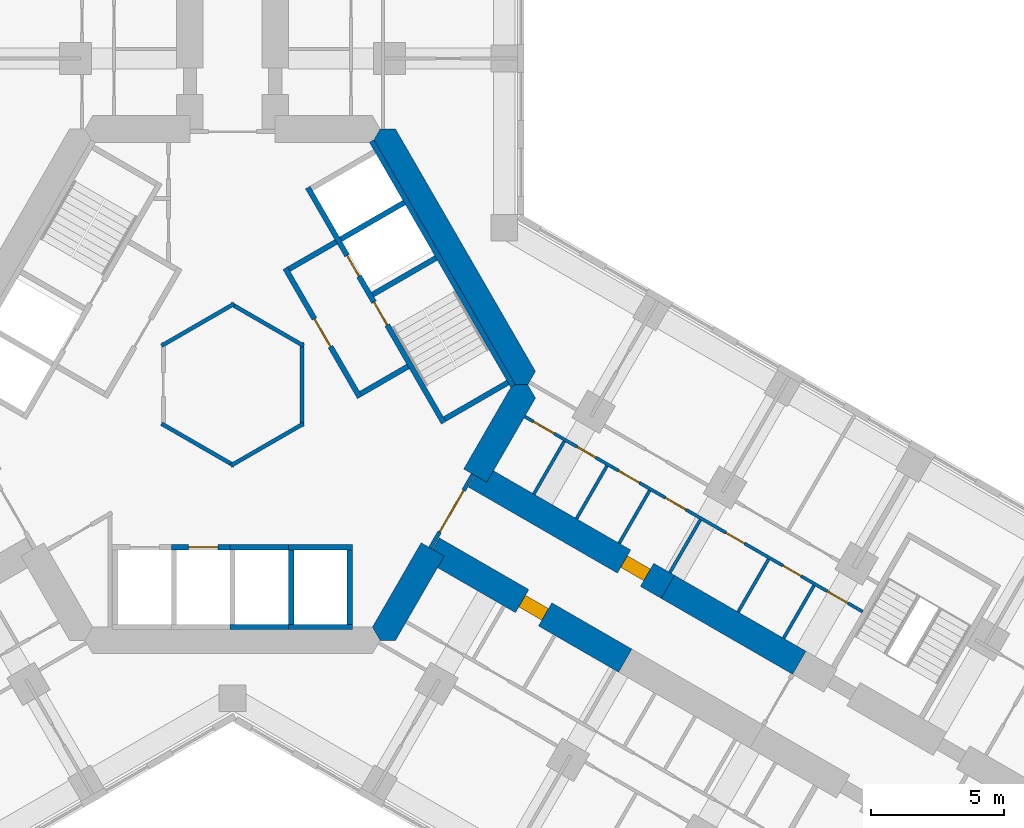
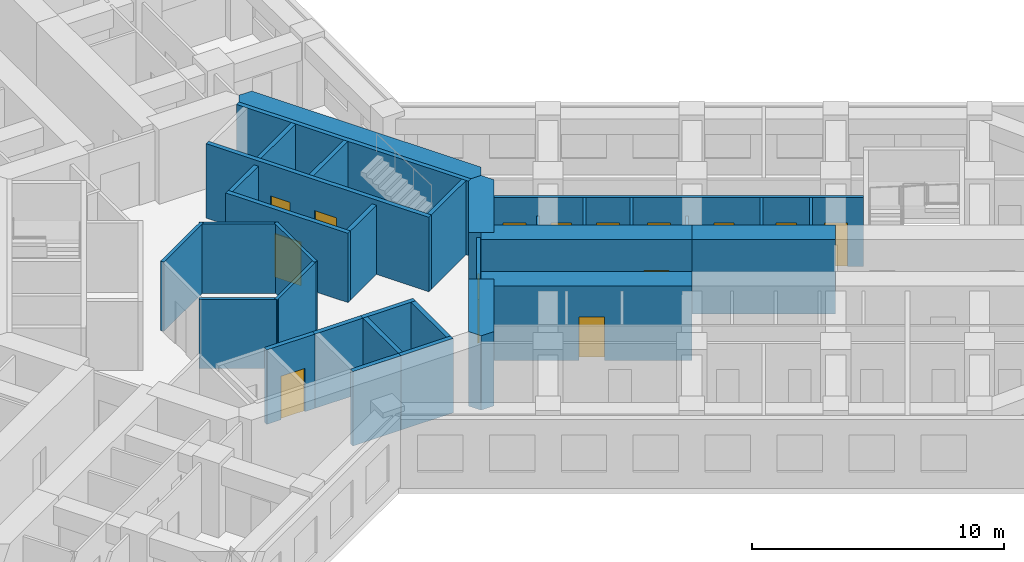
# One storey, part 15 of 21: 34 walls, 14 doors, 14 openings.
"""IFC4 building model written with IfcOpenShell, lengths in metres."""

from ifc_helpers import new_model, si_unit, direction, frame, frame_2d, origin, place, context, subcontext, project, spatial, polyline, rectangle, outline, extrude, material, layer, layer_set, type_object, element, fill, save


model = new_model("IFC4")

# Units and contexts
model_context = context("Model", 3, precision=1e-05, world=origin(), true_north=direction((0.0, 1.0)))
body_context = subcontext(model_context, "Body", "Model", "MODEL_VIEW")
ifc_project = project(units=[si_unit("LENGTHUNIT", "METRE"), si_unit("AREAUNIT", "SQUARE_METRE"), si_unit("VOLUMEUNIT", "CUBIC_METRE"), si_unit("PLANEANGLEUNIT", "RADIAN"), si_unit("MASSUNIT", "GRAM", prefix="KILO")], contexts=[model_context])

# Site, building, storey
site_placement = place(None, origin())
site = spatial("IfcSite", under=ifc_project, at=site_placement, CompositionType="ELEMENT")
building_placement = place(site_placement, origin())
building = spatial("IfcBuilding", under=site, at=building_placement, Name="Kosmar Iwan School Tower", CompositionType="ELEMENT")
storey_placement = place(building_placement, frame((0.0, 0.0, 46.60009765625)))
storey = spatial("IfcBuildingStorey", under=building, at=storey_placement, Name="L10", CompositionType="ELEMENT", Elevation=46.60009765625)

# Walls
ifc_material_1 = material(Name="Gypsum board on steel studs, fire-rated", Category="steel")
ifc_layer_1 = layer(ifc_material_1, 0.14990234375)
ifc_layer_set_1 = layer_set([ifc_layer_1], Name="Core room partition 150")
wall_type_1 = type_object("IfcWallType", Name="Core room partition 150", PredefinedType="PARTITIONING", material=ifc_layer_set_1)
for number, where, z_axis, x_axis, name in (
    (1, (2.6650390625, -1.463623046875, 0.0), (0.0, 0.0, 1.0), (-0.866023080072, -0.500004024767, 0.0), "Core room partition L10-CW4"),
    (2, (0.06494140625, -3.039794921875, 0.0), (0.0, 0.0, 1.0), (-0.866023080072, 0.500004024767, 0.0), "Core room partition L10-CW5"),
    (3, (-2.6650390625, 1.463623046875, 0.0), (0.0, 0.0, 1.0), (0.866023080072, 0.500004024767, 0.0), "Core room partition L10-CW7"),
    (4, (-0.06494140625, 3.039794921875, 0.0), (0.0, 0.0, 1.0), (0.866023080072, -0.500004024767, 0.0), "Core room partition L10-CW8"),
    (5, (2.60009765625, 1.576171875, 0.0), (0.0, 0.0, 1.0), (0.0, -1.0, 0.0), "Core room partition L10-CW9"),
):
    element("IfcWall", number, at=place(storey_placement, frame(where, z_axis=z_axis, x_axis=x_axis)), inside=storey, type_object=wall_type_1, Name=name, PredefinedType="PARTITIONING", context=body_context, shape_type="SweptSolid", body=[
        extrude(rectangle(XDim=3.15234375, YDim=0.14990234375, at=frame_2d((1.576171875, 0.0))), origin(), (0.0, 0.0, 1.0), 3.349853515625),
    ])
ifc_material_2 = material(Name="Concrete C50/60", Category="concrete")
ifc_layer_2 = layer(ifc_material_2, 1.0)
ifc_layer_set_2 = layer_set([ifc_layer_2], Name="Core wall 1000")
wall_type_2 = type_object("IfcWallType", Name="Core wall 1000", PredefinedType="SHEAR", material=ifc_layer_set_2)
wall_1_placement = place(storey_placement, origin())
element("IfcWall", 6, at=wall_1_placement, inside=storey, type_object=wall_type_2, Name="Core wall F030", PredefinedType="SHEAR", context=body_context, shape_type="SweptSolid", body=[
    extrude(outline(polyline([(10.5078125, 0.0), (11.085205078125, 0.0), (11.373779296875, 0.5), (6.119873046875, 9.60009765625), (5.54248046875, 9.60009765625), (5.25390625, 9.10009765625), (10.5078125, 0.0)])), origin(), (0.0, 0.0, 1.0), 3.599853515625),
])
wall_2_placement = place(storey_placement, origin())
element("IfcWall", 7, at=wall_2_placement, inside=storey, type_object=wall_type_2, Name="Core wall F330a", PredefinedType="SHEAR", context=body_context, shape_type="SweptSolid", body=[
    extrude(outline(polyline([(5.54248046875, -9.60009765625), (6.119873046875, -9.60009765625), (7.94677734375, -6.435546875), (7.080810546875, -5.935546875), (5.25390625, -9.10009765625), (5.54248046875, -9.60009765625)])), origin(), (0.0, 0.0, 1.0), 3.599853515625),
])
wall_3_placement = place(storey_placement, origin())
element("IfcWall", 8, at=wall_3_placement, inside=storey, type_object=wall_type_2, Name="Core wall F330b", PredefinedType="SHEAR", context=body_context, shape_type="SweptSolid", body=[
    extrude(outline(polyline([(9.546875, -3.664306640625), (11.373779296875, -0.5), (11.085205078125, 0.0), (10.5078125, 0.0), (8.680908203125, -3.164306640625), (9.546875, -3.664306640625)])), origin(), (0.0, 0.0, 1.0), 3.599853515625),
])

# Wall, opening, door
ifc_material_3 = material(Name="Concrete C50/60", Category="concrete")
ifc_layer_3 = layer(ifc_material_3, 1.0)
ifc_layer_set_3 = layer_set([ifc_layer_3], Name="Corridor buttress wall 1000")
wall_type_3 = type_object("IfcWallType", Name="Corridor buttress wall 1000", PredefinedType="SHEAR", material=ifc_layer_set_3)
wall_4_placement = place(storey_placement, frame((9.11376953125, -3.414306640625, 0.0), z_axis=(0.0, 0.0, 1.0), x_axis=(0.866026859388, -0.499997478812, 0.0)))
wall_4 = element("IfcWall", 9, at=wall_4_placement, inside=storey, type_object=wall_type_3, Name="Corridor wall CL", PredefinedType="SHEAR", context=body_context, shape_type="SweptSolid", body=[
    extrude(rectangle(XDim=8.35009765625, YDim=1.0, at=frame_2d((4.175048828125, 0.0))), origin(), (0.0, 0.0, 1.0), 3.599853515625),
])
opening_1_placement = place(wall_4_placement, frame((6.449951171875, 0.0, 0.0)))
opening_1 = element("IfcOpeningElement", 10, at=opening_1_placement, cuts=wall_4, Name="Opening D1", PredefinedType="OPENING", context=body_context, shape_type="SweptSolid", body=[
    extrude(rectangle(XDim=1.0, YDim=2.10009765625, at=frame_2d((0.5, 1.050048828125))), frame((0.0, 0.511962890625, 0.0), z_axis=(0.0, -1.0, 0.0), x_axis=(1.0, 0.0, 0.0)), (0.0, 0.0, 1.0), 1.02392578125),
])
ifc_material_4 = material(Name="Timber fire door in steel frame", Category="steel")
door_type_1 = type_object("IfcDoorType", Name="Flat entrance door 1000x2100", OperationType="SINGLE_SWING_LEFT", PredefinedType="DOOR", material=ifc_material_4)
door_1_placement = place(opening_1_placement, origin())
door_1 = element("IfcDoor", 11, at=door_1_placement, inside=storey, type_object=door_type_1, Name="Flat L10-CL1 entrance door", OperationType="SINGLE_SWING_LEFT", OverallHeight=2.10009765625, OverallWidth=1.0, PredefinedType="DOOR", context=body_context, shape_type="SweptSolid", body=[
    extrude(rectangle(XDim=1.0, YDim=2.10009765625, at=frame_2d((0.5, 1.050048828125))), frame((0.0, 0.25, 0.0), z_axis=(0.0, -1.0, 0.0), x_axis=(1.0, 0.0, 0.0)), (0.0, 0.0, 1.0), 0.5),
])
fill(opening_1, door_1)

# Wall
wall_5_placement = place(storey_placement, frame((16.34521484375, -7.58935546875, 0.0), z_axis=(0.0, 0.0, 1.0), x_axis=(0.866015111908, -0.50001782563, 0.0)))
element("IfcWall", 12, at=wall_5_placement, inside=storey, type_object=wall_type_3, Name="Corridor wall CL bay 2", PredefinedType="SHEAR", context=body_context, shape_type="SweptSolid", body=[
    extrude(rectangle(XDim=5.699951171875, YDim=1.0, at=frame_2d((2.85009765625, 0.0))), origin(), (0.0, 0.0, 1.0), 3.599853515625),
])

# Wall, opening, door
wall_6_placement = place(storey_placement, frame((7.513916015625, -6.185546875, 0.0), z_axis=(0.0, 0.0, 1.0), x_axis=(0.866019549707, -0.500010139422, 0.0)))
wall_6 = element("IfcWall", 13, at=wall_6_placement, inside=storey, type_object=wall_type_3, Name="Corridor wall CR", PredefinedType="SHEAR", context=body_context, shape_type="SweptSolid", body=[
    extrude(rectangle(XDim=8.349853515625, YDim=1.0, at=frame_2d((4.1748046875, 0.0))), origin(), (0.0, 0.0, 1.0), 3.599853515625),
])
opening_2_placement = place(wall_6_placement, frame((3.8798828125, 0.0, 0.0)))
opening_2 = element("IfcOpeningElement", 14, at=opening_2_placement, cuts=wall_6, Name="Opening D1", PredefinedType="OPENING", context=body_context, shape_type="SweptSolid", body=[
    extrude(rectangle(XDim=1.0, YDim=2.10009765625, at=frame_2d((0.5, 1.050048828125))), frame((0.0, 0.511962890625, 0.0), z_axis=(0.0, -1.0, 0.0), x_axis=(1.0, 0.0, 0.0)), (0.0, 0.0, 1.0), 1.02392578125),
])
door_2_placement = place(opening_2_placement, origin())
door_2 = element("IfcDoor", 15, at=door_2_placement, inside=storey, type_object=door_type_1, Name="Flat L10-CR1 entrance door", OperationType="SINGLE_SWING_RIGHT", OverallHeight=2.10009765625, OverallWidth=1.0, PredefinedType="DOOR", context=body_context, shape_type="SweptSolid", body=[
    extrude(rectangle(XDim=1.0, YDim=2.10009765625, at=frame_2d((0.5, 1.050048828125))), frame((0.0, 0.25, 0.0), z_axis=(0.0, -1.0, 0.0), x_axis=(1.0, 0.0, 0.0)), (0.0, 0.0, 1.0), 0.5),
])
fill(opening_2, door_2)

ifc_material_5 = material(Name="Steel framed glazed screen", Category="steel")
ifc_layer_4 = layer(ifc_material_5, 0.14990234375)
ifc_layer_set_4 = layer_set([ifc_layer_4], Name="Corridor screen wall 150")
wall_type_4 = type_object("IfcWallType", Name="Corridor screen wall 150", PredefinedType="PARTITIONING", material=ifc_layer_set_4)
wall_7_placement = place(storey_placement, frame((7.42724609375, -6.1357421875, 0.0), z_axis=(0.0, 0.0, 1.0), x_axis=(0.499995408039, 0.866028054938, 0.0)))
wall_7 = element("IfcWall", 16, at=wall_7_placement, inside=storey, type_object=wall_type_4, Name="Corridor screen C L10", PredefinedType="PARTITIONING", context=body_context, shape_type="SweptSolid", body=[
    extrude(rectangle(XDim=3.2001953125, YDim=0.14990234375, at=frame_2d((1.60009765625, 0.0))), origin(), (0.0, 0.0, 1.0), 3.349853515625),
])
opening_3_placement = place(wall_7_placement, frame((0.699951171875, 0.0, 0.0)))
opening_3 = element("IfcOpeningElement", 17, at=opening_3_placement, cuts=wall_7, Name="Opening D9", PredefinedType="OPENING", context=body_context, shape_type="SweptSolid", body=[
    extrude(rectangle(XDim=1.800048828125, YDim=2.10009765625, at=frame_2d((0.89990234375, 1.050048828125))), frame((0.0, 0.0869140625, 0.0), z_axis=(0.0, -1.0, 0.0), x_axis=(1.0, 0.0, 0.0)), (0.0, 0.0, 1.0), 0.173828125),
])
ifc_material_6 = material(Name="Steel framed glazed smoke door", Category="steel")
door_type_2 = type_object("IfcDoorType", Name="Corridor smoke door pair 1800x2100", OperationType="DOUBLE_DOOR_DOUBLE_SWING", PredefinedType="DOOR", material=ifc_material_6)
door_3_placement = place(opening_3_placement, origin())
door_3 = element("IfcDoor", 18, at=door_3_placement, inside=storey, type_object=door_type_2, Name="Corridor doors C L10", OperationType="DOUBLE_DOOR_DOUBLE_SWING", OverallHeight=2.10009765625, OverallWidth=1.800048828125, PredefinedType="DOOR", context=body_context, shape_type="SweptSolid", body=[
    extrude(rectangle(XDim=1.800048828125, YDim=2.10009765625, at=frame_2d((0.89990234375, 1.050048828125))), frame((0.0, 0.02490234375, 0.0), z_axis=(0.0, -1.0, 0.0), x_axis=(1.0, 0.0, 0.0)), (0.0, 0.0, 1.0), 0.050048828125),
])
fill(opening_3, door_3)

# Wall, openings, doors
ifc_material_7 = material(Name="Gypsum board on steel studs", Category="steel")
ifc_layer_5 = layer(ifc_material_7, 0.1201171875)
ifc_layer_set_5 = layer_set([ifc_layer_5], Name="Dwelling partition 120")
wall_type_5 = type_object("IfcWallType", Name="Dwelling partition 120", PredefinedType="PARTITIONING", material=ifc_layer_set_5)
wall_8_placement = place(storey_placement, frame((10.971923828125, -1.1962890625, 0.0), z_axis=(0.0, 0.0, 1.0), x_axis=(0.866026568746, -0.499997982221, 0.0)))
wall_8 = element("IfcWall", 19, at=wall_8_placement, inside=storey, type_object=wall_type_5, Name="Partition L10-CL1-W1", PredefinedType="PARTITIONING", context=body_context, shape_type="SweptSolid", body=[
    extrude(rectangle(XDim=14.64990234375, YDim=0.1201171875, at=frame_2d((7.324951171875, 0.0))), origin(), (0.0, 0.0, 1.0), 3.349853515625),
])
opening_4_placement = place(wall_8_placement, frame((0.375, 0.0, 0.0)))
opening_4 = element("IfcOpeningElement", 20, at=opening_4_placement, cuts=wall_8, Name="Opening D2", PredefinedType="OPENING", context=body_context, shape_type="SweptSolid", body=[
    extrude(rectangle(XDim=0.89990234375, YDim=2.10009765625, at=frame_2d((0.449951171875, 1.050048828125))), frame((0.0, 0.072021484375, 0.0), z_axis=(0.0, -1.0, 0.0), x_axis=(1.0, 0.0, 0.0)), (0.0, 0.0, 1.0), 0.14404296875),
])
opening_5_placement = place(wall_8_placement, frame((2.27490234375, 0.0, 0.0)))
opening_5 = element("IfcOpeningElement", 21, at=opening_5_placement, cuts=wall_8, Name="Opening D3", PredefinedType="OPENING", context=body_context, shape_type="SweptSolid", body=[
    extrude(rectangle(XDim=0.800048828125, YDim=2.10009765625, at=frame_2d((0.39990234375, 1.050048828125))), frame((0.0, 0.072021484375, 0.0), z_axis=(0.0, -1.0, 0.0), x_axis=(1.0, 0.0, 0.0)), (0.0, 0.0, 1.0), 0.14404296875),
])
opening_6_placement = place(wall_8_placement, frame((4.074951171875, 0.0, 0.0)))
opening_6 = element("IfcOpeningElement", 22, at=opening_6_placement, cuts=wall_8, Name="Opening D2", PredefinedType="OPENING", context=body_context, shape_type="SweptSolid", body=[
    extrude(rectangle(XDim=0.89990234375, YDim=2.10009765625, at=frame_2d((0.449951171875, 1.050048828125))), frame((0.0, 0.072021484375, 0.0), z_axis=(0.0, -1.0, 0.0), x_axis=(1.0, 0.0, 0.0)), (0.0, 0.0, 1.0), 0.14404296875),
])
opening_7_placement = place(wall_8_placement, frame((6.10009765625, 0.0, 0.0)))
opening_7 = element("IfcOpeningElement", 23, at=opening_7_placement, cuts=wall_8, Name="Opening D2", PredefinedType="OPENING", context=body_context, shape_type="SweptSolid", body=[
    extrude(rectangle(XDim=0.89990234375, YDim=2.10009765625, at=frame_2d((0.449951171875, 1.050048828125))), frame((0.0, 0.072021484375, 0.0), z_axis=(0.0, -1.0, 0.0), x_axis=(1.0, 0.0, 0.0)), (0.0, 0.0, 1.0), 0.14404296875),
])
opening_8_placement = place(wall_8_placement, frame((8.728515625, 0.0, 0.0)))
opening_8 = element("IfcOpeningElement", 24, at=opening_8_placement, cuts=wall_8, Name="Opening D3", PredefinedType="OPENING", context=body_context, shape_type="SweptSolid", body=[
    extrude(rectangle(XDim=0.800048828125, YDim=2.10009765625, at=frame_2d((0.39990234375, 1.050048828125))), frame((0.0, 0.072021484375, 0.0), z_axis=(0.0, -1.0, 0.0), x_axis=(1.0, 0.0, 0.0)), (0.0, 0.0, 1.0), 0.14404296875),
])
opening_9_placement = place(wall_8_placement, frame((11.19287109375, 0.0, 0.0)))
opening_9 = element("IfcOpeningElement", 25, at=opening_9_placement, cuts=wall_8, Name="Opening D3", PredefinedType="OPENING", context=body_context, shape_type="SweptSolid", body=[
    extrude(rectangle(XDim=0.800048828125, YDim=2.10009765625, at=frame_2d((0.39990234375, 1.050048828125))), frame((0.0, 0.072021484375, 0.0), z_axis=(0.0, -1.0, 0.0), x_axis=(1.0, 0.0, 0.0)), (0.0, 0.0, 1.0), 0.14404296875),
])
opening_10_placement = place(wall_8_placement, frame((13.1142578125, 0.0, 0.0)))
opening_10 = element("IfcOpeningElement", 26, at=opening_10_placement, cuts=wall_8, Name="Opening D2", PredefinedType="OPENING", context=body_context, shape_type="SweptSolid", body=[
    extrude(rectangle(XDim=0.89990234375, YDim=2.10009765625, at=frame_2d((0.449951171875, 1.050048828125))), frame((0.0, 0.072021484375, 0.0), z_axis=(0.0, -1.0, 0.0), x_axis=(1.0, 0.0, 0.0)), (0.0, 0.0, 1.0), 0.14404296875),
])
ifc_material_8 = material(Name="Timber door in timber frame", Category="wood")
door_type_3 = type_object("IfcDoorType", Name="Internal door 900x2100", OperationType="SINGLE_SWING_LEFT", PredefinedType="DOOR", material=ifc_material_8)
door_4_placement = place(opening_4_placement, origin())
door_4 = element("IfcDoor", 27, at=door_4_placement, inside=storey, type_object=door_type_3, Name="Dressing room door L10-CL1-S1", OperationType="SINGLE_SWING_LEFT", OverallHeight=2.10009765625, OverallWidth=0.89990234375, PredefinedType="DOOR", context=body_context, shape_type="SweptSolid", body=[
    extrude(rectangle(XDim=0.89990234375, YDim=2.10009765625, at=frame_2d((0.449951171875, 1.050048828125))), frame((0.0, 0.02490234375, 0.0), z_axis=(0.0, -1.0, 0.0), x_axis=(1.0, 0.0, 0.0)), (0.0, 0.0, 1.0), 0.050048828125),
])
fill(opening_4, door_4)
door_5_placement = place(opening_6_placement, origin())
door_5 = element("IfcDoor", 28, at=door_5_placement, inside=storey, type_object=door_type_3, Name="Pantry door L10-CL1-S3", OperationType="SINGLE_SWING_LEFT", OverallHeight=2.10009765625, OverallWidth=0.89990234375, PredefinedType="DOOR", context=body_context, shape_type="SweptSolid", body=[
    extrude(rectangle(XDim=0.89990234375, YDim=2.10009765625, at=frame_2d((0.449951171875, 1.050048828125))), frame((0.0, 0.02490234375, 0.0), z_axis=(0.0, -1.0, 0.0), x_axis=(1.0, 0.0, 0.0)), (0.0, 0.0, 1.0), 0.050048828125),
])
fill(opening_6, door_5)
door_6_placement = place(opening_7_placement, origin())
door_6 = element("IfcDoor", 29, at=door_6_placement, inside=storey, type_object=door_type_3, Name="Entrance hall door L10-CL1-S4", OperationType="SINGLE_SWING_LEFT", OverallHeight=2.10009765625, OverallWidth=0.89990234375, PredefinedType="DOOR", context=body_context, shape_type="SweptSolid", body=[
    extrude(rectangle(XDim=0.89990234375, YDim=2.10009765625, at=frame_2d((0.449951171875, 1.050048828125))), frame((0.0, 0.02490234375, 0.0), z_axis=(0.0, -1.0, 0.0), x_axis=(1.0, 0.0, 0.0)), (0.0, 0.0, 1.0), 0.050048828125),
])
fill(opening_7, door_6)
door_7_placement = place(opening_10_placement, frame((0.89990234375, 0.0, 0.0), z_axis=(0.0, 0.0, 1.0), x_axis=(-1.0, 0.0, 0.0)))
door_7 = element("IfcDoor", 30, at=door_7_placement, inside=storey, type_object=door_type_3, Name="Utility room door L10-CL1-S7", OperationType="SINGLE_SWING_LEFT", OverallHeight=2.10009765625, OverallWidth=0.89990234375, PredefinedType="DOOR", context=body_context, shape_type="SweptSolid", body=[
    extrude(rectangle(XDim=0.89990234375, YDim=2.10009765625, at=frame_2d((0.449951171875, 1.050048828125))), frame((0.0, 0.02490234375, 0.0), z_axis=(0.0, -1.0, 0.0), x_axis=(1.0, 0.0, 0.0)), (0.0, 0.0, 1.0), 0.050048828125),
])
fill(opening_10, door_7)
ifc_material_9 = material(Name="Timber door in timber frame", Category="wood")
door_type_4 = type_object("IfcDoorType", Name="Sanitary room door 800x2100", OperationType="SINGLE_SWING_LEFT", PredefinedType="DOOR", material=ifc_material_9)
door_8_placement = place(opening_5_placement, origin())
door_8 = element("IfcDoor", 31, at=door_8_placement, inside=storey, type_object=door_type_4, Name="Store door L10-CL1-S2", OperationType="SINGLE_SWING_LEFT", OverallHeight=2.10009765625, OverallWidth=0.800048828125, PredefinedType="DOOR", context=body_context, shape_type="SweptSolid", body=[
    extrude(rectangle(XDim=0.800048828125, YDim=2.10009765625, at=frame_2d((0.39990234375, 1.050048828125))), frame((0.0, 0.02490234375, 0.0), z_axis=(0.0, -1.0, 0.0), x_axis=(1.0, 0.0, 0.0)), (0.0, 0.0, 1.0), 0.050048828125),
])
fill(opening_5, door_8)
door_9_placement = place(opening_8_placement, origin())
door_9 = element("IfcDoor", 32, at=door_9_placement, inside=storey, type_object=door_type_4, Name="Bathroom door L10-CL1-S5", OperationType="SINGLE_SWING_RIGHT", OverallHeight=2.10009765625, OverallWidth=0.800048828125, PredefinedType="DOOR", context=body_context, shape_type="SweptSolid", body=[
    extrude(rectangle(XDim=0.800048828125, YDim=2.10009765625, at=frame_2d((0.39990234375, 1.050048828125))), frame((0.0, 0.02490234375, 0.0), z_axis=(0.0, -1.0, 0.0), x_axis=(1.0, 0.0, 0.0)), (0.0, 0.0, 1.0), 0.050048828125),
])
fill(opening_8, door_9)
door_10_placement = place(opening_9_placement, origin())
door_10 = element("IfcDoor", 33, at=door_10_placement, inside=storey, type_object=door_type_4, Name="WC door L10-CL1-S6", OperationType="SINGLE_SWING_RIGHT", OverallHeight=2.10009765625, OverallWidth=0.800048828125, PredefinedType="DOOR", context=body_context, shape_type="SweptSolid", body=[
    extrude(rectangle(XDim=0.800048828125, YDim=2.10009765625, at=frame_2d((0.39990234375, 1.050048828125))), frame((0.0, 0.02490234375, 0.0), z_axis=(0.0, -1.0, 0.0), x_axis=(1.0, 0.0, 0.0)), (0.0, 0.0, 1.0), 0.050048828125),
])
fill(opening_9, door_10)

# Walls
wall_9_placement = place(storey_placement, frame((11.3125, -4.1064453125, 0.0), z_axis=(0.0, 0.0, 1.0), x_axis=(0.499968531483, 0.866043571379, 0.0)))
element("IfcWall", 34, at=wall_9_placement, inside=storey, type_object=wall_type_5, Name="Partition L10-CL1-Y1", PredefinedType="PARTITIONING", context=body_context, shape_type="SweptSolid", body=[
    extrude(rectangle(XDim=2.290283203125, YDim=0.1201171875, at=frame_2d((1.14501953125, 0.0))), origin(), (0.0, 0.0, 1.0), 2.449951171875),
])
for number, where, z_axis, x_axis, name in (
    (35, (12.91455078125, -5.03125, 0.0), (0.0, 0.0, 1.0), (0.500014693593, 0.866016920268, 0.0), "Partition L10-CL1-Y2"),
    (36, (14.5166015625, -5.956298828125, 0.0), (0.0, 0.0, 1.0), (0.500014693593, 0.866016920268, 0.0), "Partition L10-CL1-Y3"),
):
    element("IfcWall", number, at=place(storey_placement, frame(where, z_axis=z_axis, x_axis=x_axis)), inside=storey, type_object=wall_type_5, Name=name, PredefinedType="PARTITIONING", context=body_context, shape_type="SweptSolid", body=[
        extrude(rectangle(XDim=2.2900390625, YDim=0.1201171875, at=frame_2d((1.14501953125, 0.0))), origin(), (0.0, 0.0, 1.0), 3.349853515625),
    ])
wall_10_placement = place(storey_placement, frame((16.421875, -7.056396484375, 0.0), z_axis=(0.0, 0.0, 1.0), x_axis=(0.500014693593, 0.866016920268, 0.0)))
element("IfcWall", 37, at=wall_10_placement, inside=storey, type_object=wall_type_5, Name="Partition L10-CL1-Y4", PredefinedType="PARTITIONING", context=body_context, shape_type="SweptSolid", body=[
    extrude(rectangle(XDim=2.2900390625, YDim=0.1201171875, at=frame_2d((1.14501953125, 0.0))), origin(), (0.0, 0.0, 1.0), 2.449951171875),
])
wall_11_placement = place(storey_placement, frame((18.98291015625, -8.534912109375, 0.0), z_axis=(0.0, 0.0, 1.0), x_axis=(0.500014693593, 0.866016920268, 0.0)))
element("IfcWall", 38, at=wall_11_placement, inside=storey, type_object=wall_type_5, Name="Partition L10-CL1-Y5", PredefinedType="PARTITIONING", context=body_context, shape_type="SweptSolid", body=[
    extrude(rectangle(XDim=2.2900390625, YDim=0.1201171875, at=frame_2d((1.14501953125, 0.0))), origin(), (0.0, 0.0, 1.0), 3.349853515625),
])
wall_12_placement = place(storey_placement, frame((20.690185546875, -9.520751953125, 0.0), z_axis=(0.0, 0.0, 1.0), x_axis=(0.499968531483, 0.866043571379, 0.0)))
element("IfcWall", 39, at=wall_12_placement, inside=storey, type_object=wall_type_5, Name="Partition L10-CL1-Y6", PredefinedType="PARTITIONING", context=body_context, shape_type="SweptSolid", body=[
    extrude(rectangle(XDim=2.290283203125, YDim=0.1201171875, at=frame_2d((1.14501953125, 0.0))), origin(), (0.0, 0.0, 1.0), 3.349853515625),
])

# Wall, opening, door
ifc_material_10 = material(Name="Concrete block masonry", Category="masonry")
ifc_layer_6 = layer(ifc_material_10, 0.199951171875)
ifc_layer_set_6 = layer_set([ifc_layer_6], Name="Fire lobby wall 200")
wall_type_6 = type_object("IfcWallType", Name="Fire lobby wall 200", PredefinedType="PARTITIONING", material=ifc_layer_set_6)
wall_13_placement = place(storey_placement, frame((4.777587890625, -0.474853515625, 0.0), z_axis=(0.0, 0.0, 1.0), x_axis=(-0.500016814911, 0.866015695474, 0.0)))
wall_13 = element("IfcWall", 40, at=wall_13_placement, inside=storey, type_object=wall_type_6, Name="Firefighting lobby wall ST1", PredefinedType="PARTITIONING", context=body_context, shape_type="SweptSolid", body=[
    extrude(rectangle(XDim=5.599853515625, YDim=0.199951171875, at=frame_2d((2.7998046875, 0.0))), origin(), (0.0, 0.0, 1.0), 3.349853515625),
])
opening_11_placement = place(wall_13_placement, frame((2.199951171875, 0.0, 0.0)))
opening_11 = element("IfcOpeningElement", 41, at=opening_11_placement, cuts=wall_13, Name="Opening D7", PredefinedType="OPENING", context=body_context, shape_type="SweptSolid", body=[
    extrude(rectangle(XDim=1.199951171875, YDim=2.10009765625, at=frame_2d((0.60009765625, 1.050048828125))), frame((0.0, 0.112060546875, 0.0), z_axis=(0.0, -1.0, 0.0), x_axis=(1.0, 0.0, 0.0)), (0.0, 0.0, 1.0), 0.223876953125),
])
ifc_material_11 = material(Name="Steel fire door", Category="steel")
door_type_5 = type_object("IfcDoorType", Name="Fire lobby door 1200x2100", OperationType="SINGLE_SWING_LEFT", PredefinedType="DOOR", material=ifc_material_11)
door_11_placement = place(opening_11_placement, frame((1.199951171875, 0.0, 0.0), z_axis=(0.0, 0.0, 1.0), x_axis=(-1.0, 0.0, 0.0)))
door_11 = element("IfcDoor", 42, at=door_11_placement, inside=storey, type_object=door_type_5, Name="Firefighting lobby door ST1 L10", OperationType="SINGLE_SWING_LEFT", OverallHeight=2.10009765625, OverallWidth=1.199951171875, PredefinedType="DOOR", context=body_context, shape_type="SweptSolid", body=[
    extrude(rectangle(XDim=1.199951171875, YDim=2.10009765625, at=frame_2d((0.60009765625, 1.050048828125))), frame((0.0, 0.02490234375, 0.0), z_axis=(0.0, -1.0, 0.0), x_axis=(1.0, 0.0, 0.0)), (0.0, 0.0, 1.0), 0.050048828125),
])
fill(opening_11, door_11)

# Walls
wall_14_placement = place(storey_placement, frame((4.814208984375, -0.33837890625, 0.0), z_axis=(0.0, 0.0, 1.0), x_axis=(0.865969381856, 0.500097020274, 0.0)))
element("IfcWall", 43, at=wall_14_placement, inside=storey, type_object=wall_type_6, Name="Firefighting lobby wall ST1", PredefinedType="PARTITIONING", context=body_context, shape_type="SweptSolid", body=[
    extrude(rectangle(XDim=2.0498046875, YDim=0.199951171875, at=frame_2d((1.02490234375, 0.0))), origin(), (0.0, 0.0, 1.0), 3.349853515625),
])
wall_15_placement = place(storey_placement, frame((2.114013671875, 4.33837890625, 0.0), z_axis=(0.0, 0.0, 1.0), x_axis=(0.866050731258, 0.499956128963, 0.0)))
element("IfcWall", 44, at=wall_15_placement, inside=storey, type_object=wall_type_6, Name="Firefighting lobby wall ST1", PredefinedType="PARTITIONING", context=body_context, shape_type="SweptSolid", body=[
    extrude(rectangle(XDim=2.050048828125, YDim=0.199951171875, at=frame_2d((1.02490234375, 0.0))), origin(), (0.0, 0.0, 1.0), 3.349853515625),
])

# Wall, openings, doors
ifc_material_12 = material(Name="Concrete C50/60", Category="concrete")
ifc_layer_7 = layer(ifc_material_12, 0.199951171875)
ifc_layer_set_7 = layer_set([ifc_layer_7], Name="Lift shaft wall 200")
wall_type_7 = type_object("IfcWallType", Name="Lift shaft wall 200", PredefinedType="SHEAR", material=ifc_layer_set_7)
wall_16_placement = place(storey_placement, frame((7.926025390625, -1.42822265625, 0.0), z_axis=(0.0, 0.0, 1.0), x_axis=(-0.499998023675, 0.866026544813, 0.0)))
wall_16 = element("IfcWall", 45, at=wall_16_placement, inside=storey, type_object=wall_type_7, Name="Lift and stair front wall AC", PredefinedType="SHEAR", context=body_context, shape_type="SweptSolid", body=[
    extrude(rectangle(XDim=10.19970703125, YDim=0.199951171875, at=frame_2d((5.099853515625, 0.0))), origin(), (0.0, 0.0, 1.0), 3.599853515625),
])
opening_12_placement = place(wall_16_placement, frame((6.35009765625, 0.0, 0.0)))
opening_12 = element("IfcOpeningElement", 46, at=opening_12_placement, cuts=wall_16, Name="Opening LD2", PredefinedType="OPENING", context=body_context, shape_type="SweptSolid", body=[
    extrude(rectangle(XDim=0.89990234375, YDim=2.10009765625, at=frame_2d((0.449951171875, 1.050048828125))), frame((0.0, 0.112060546875, 0.0), z_axis=(0.0, -1.0, 0.0), x_axis=(1.0, 0.0, 0.0)), (0.0, 0.0, 1.0), 0.223876953125),
])
opening_13_placement = place(wall_16_placement, frame((4.22998046875, 0.0, 0.0)))
opening_13 = element("IfcOpeningElement", 47, at=opening_13_placement, cuts=wall_16, Name="Opening D6", PredefinedType="OPENING", context=body_context, shape_type="SweptSolid", body=[
    extrude(rectangle(XDim=1.0, YDim=2.10009765625, at=frame_2d((0.5, 1.050048828125))), frame((0.0, 0.112060546875, 0.0), z_axis=(0.0, -1.0, 0.0), x_axis=(1.0, 0.0, 0.0)), (0.0, 0.0, 1.0), 0.223876953125),
])
ifc_material_13 = material(Name="Stainless steel sliding lift door", Category="steel")
door_type_6 = type_object("IfcDoorType", Name="Firefighting lift landing door 900x2100", OperationType="SLIDING_TO_LEFT", PredefinedType="DOOR", material=ifc_material_13)
door_12_placement = place(opening_12_placement, origin())
door_12 = element("IfcDoor", 48, at=door_12_placement, inside=storey, type_object=door_type_6, Name="Lift FF1 landing door L10", OperationType="SLIDING_TO_LEFT", OverallHeight=2.10009765625, OverallWidth=0.89990234375, PredefinedType="DOOR", context=body_context, shape_type="SweptSolid", body=[
    extrude(rectangle(XDim=0.89990234375, YDim=2.10009765625, at=frame_2d((0.449951171875, 1.050048828125))), frame((0.0, 0.02490234375, 0.0), z_axis=(0.0, -1.0, 0.0), x_axis=(1.0, 0.0, 0.0)), (0.0, 0.0, 1.0), 0.050048828125),
])
fill(opening_12, door_12)
ifc_material_14 = material(Name="Steel fire door", Category="steel")
door_type_7 = type_object("IfcDoorType", Name="Stair door 1000x2100", OperationType="SINGLE_SWING_LEFT", PredefinedType="DOOR", material=ifc_material_14)
door_13_placement = place(opening_13_placement, origin())
door_13 = element("IfcDoor", 49, at=door_13_placement, inside=storey, type_object=door_type_7, Name="Stair ST1 door L10", OperationType="SINGLE_SWING_LEFT", OverallHeight=2.10009765625, OverallWidth=1.0, PredefinedType="DOOR", context=body_context, shape_type="SweptSolid", body=[
    extrude(rectangle(XDim=1.0, YDim=2.10009765625, at=frame_2d((0.5, 1.050048828125))), frame((0.0, 0.02490234375, 0.0), z_axis=(0.0, -1.0, 0.0), x_axis=(1.0, 0.0, 0.0)), (0.0, 0.0, 1.0), 0.050048828125),
])
fill(opening_13, door_13)

# Walls
wall_17_placement = place(storey_placement, frame((10.53662109375, -0.050048828125, 0.0), z_axis=(0.0, 0.0, 1.0), x_axis=(-0.499994998079, 0.866028291626, 0.0)))
element("IfcWall", 50, at=wall_17_placement, inside=storey, type_object=wall_type_7, Name="Lift and stair back wall AC", PredefinedType="SHEAR", context=body_context, shape_type="SweptSolid", body=[
    extrude(rectangle(XDim=10.623046875, YDim=0.199951171875, at=frame_2d((5.3115234375, 0.0))), origin(), (0.0, 0.0, 1.0), 3.599853515625),
])
wall_18_placement = place(storey_placement, frame((4.062744140625, 5.46337890625, 0.0), z_axis=(0.0, 0.0, 1.0), x_axis=(0.866027397988, 0.499996545922, 0.0)))
element("IfcWall", 51, at=wall_18_placement, inside=storey, type_object=wall_type_7, Name="Lift shaft wall AC 1", PredefinedType="SHEAR", context=body_context, shape_type="SweptSolid", body=[
    extrude(rectangle(XDim=2.75, YDim=0.199951171875, at=frame_2d((1.375, 0.0))), origin(), (0.0, 0.0, 1.0), 3.599853515625),
])

# Wall, opening, door
wall_19_placement = place(storey_placement, frame((-2.300048828125, -6.10009765625, 0.0), z_axis=(0.0, 0.0, 1.0), x_axis=(1.0, 0.0, 0.0)))
wall_19 = element("IfcWall", 52, at=wall_19_placement, inside=storey, type_object=wall_type_7, Name="Lift and stair front wall BC", PredefinedType="SHEAR", context=body_context, shape_type="SweptSolid", body=[
    extrude(rectangle(XDim=2.199951171875, YDim=0.199951171875, at=frame_2d((1.10009765625, 0.0))), origin(), (0.0, 0.0, 1.0), 3.599853515625),
])
opening_14_placement = place(wall_19_placement, frame((0.64990234375, 0.0, 0.0)))
opening_14 = element("IfcOpeningElement", 53, at=opening_14_placement, cuts=wall_19, Name="Opening LD1", PredefinedType="OPENING", context=body_context, shape_type="SweptSolid", body=[
    extrude(rectangle(XDim=1.10009765625, YDim=2.10009765625, at=frame_2d((0.550048828125, 1.050048828125))), frame((0.0, 0.112060546875, 0.0), z_axis=(0.0, -1.0, 0.0), x_axis=(1.0, 0.0, 0.0)), (0.0, 0.0, 1.0), 0.223876953125),
])
ifc_material_15 = material(Name="Stainless steel sliding lift door", Category="steel")
door_type_8 = type_object("IfcDoorType", Name="Lift landing door 1100x2100", OperationType="SLIDING_TO_LEFT", PredefinedType="DOOR", material=ifc_material_15)
door_14_placement = place(opening_14_placement, origin())
door_14 = element("IfcDoor", 54, at=door_14_placement, inside=storey, type_object=door_type_8, Name="Lift PL2 landing door L10", OperationType="SLIDING_TO_LEFT", OverallHeight=2.10009765625, OverallWidth=1.10009765625, PredefinedType="DOOR", context=body_context, shape_type="SweptSolid", body=[
    extrude(rectangle(XDim=1.10009765625, YDim=2.10009765625, at=frame_2d((0.550048828125, 1.050048828125))), frame((0.0, 0.02490234375, 0.0), z_axis=(0.0, -1.0, 0.0), x_axis=(1.0, 0.0, 0.0)), (0.0, 0.0, 1.0), 0.050048828125),
])
fill(opening_14, door_14)

# Walls
for number, where, z_axis, x_axis, name in (
    (55, (-0.10009765625, -6.10009765625, 0.0), (0.0, 0.0, 1.0), (1.0, 0.0, 0.0), "Lift and stair front wall BC"),
    (56, (-0.10009765625, -9.10009765625, 0.0), (0.0, 0.0, 1.0), (1.0, 0.0, 0.0), "Lift and stair back wall BC"),
):
    element("IfcWall", number, at=place(storey_placement, frame(where, z_axis=z_axis, x_axis=x_axis)), inside=storey, type_object=wall_type_7, Name=name, PredefinedType="SHEAR", context=body_context, shape_type="SweptSolid", body=[
        extrude(rectangle(XDim=2.2001953125, YDim=0.199951171875, at=frame_2d((1.10009765625, 0.0))), origin(), (0.0, 0.0, 1.0), 3.599853515625),
    ])
for number, where, z_axis, x_axis, name in (
    (57, (2.10009765625, -6.10009765625, 0.0), (0.0, 0.0, 1.0), (1.0, 0.0, 0.0), "Lift and stair front wall BC"),
    (58, (2.10009765625, -9.10009765625, 0.0), (0.0, 0.0, 1.0), (1.0, 0.0, 0.0), "Lift and stair back wall BC"),
):
    element("IfcWall", number, at=place(storey_placement, frame(where, z_axis=z_axis, x_axis=x_axis)), inside=storey, type_object=wall_type_7, Name=name, PredefinedType="SHEAR", context=body_context, shape_type="SweptSolid", body=[
        extrude(rectangle(XDim=2.39990234375, YDim=0.199951171875, at=frame_2d((1.199951171875, 0.0))), origin(), (0.0, 0.0, 1.0), 3.599853515625),
    ])
for number, where, z_axis, x_axis, name in (
    (59, (2.199951171875, -6.199951171875, 0.0), (0.0, 0.0, 1.0), (0.0, -1.0, 0.0), "Lift shaft wall BC 3"),
    (60, (4.39990234375, -6.199951171875, 0.0), (0.0, 0.0, 1.0), (0.0, -1.0, 0.0), "Lift shaft wall BC 4"),
):
    element("IfcWall", number, at=place(storey_placement, frame(where, z_axis=z_axis, x_axis=x_axis)), inside=storey, type_object=wall_type_7, Name=name, PredefinedType="SHEAR", context=body_context, shape_type="SweptSolid", body=[
        extrude(rectangle(XDim=2.800048828125, YDim=0.199951171875, at=frame_2d((1.39990234375, 0.0))), origin(), (0.0, 0.0, 1.0), 3.599853515625),
    ])
ifc_material_16 = material(Name="Concrete C50/60", Category="concrete")
ifc_layer_8 = layer(ifc_material_16, 0.199951171875)
ifc_layer_set_8 = layer_set([ifc_layer_8], Name="Stair enclosure wall 200")
wall_type_8 = type_object("IfcWallType", Name="Stair enclosure wall 200", PredefinedType="SHEAR", material=ifc_layer_set_8)
for number, where, z_axis, x_axis, name in (
    (61, (7.962646484375, -1.291748046875, 0.0), (0.0, 0.0, 1.0), (0.866027397988, 0.499996545922, 0.0), "Stair ST1 wall"),
    (62, (5.2626953125, 3.384765625, 0.0), (0.0, 0.0, 1.0), (0.866027397988, 0.499996545922, 0.0), "Stair ST1 wall"),
):
    element("IfcWall", number, at=place(storey_placement, frame(where, z_axis=z_axis, x_axis=x_axis)), inside=storey, type_object=wall_type_8, Name=name, PredefinedType="SHEAR", context=body_context, shape_type="SweptSolid", body=[
        extrude(rectangle(XDim=2.75, YDim=0.199951171875, at=frame_2d((1.375, 0.0))), origin(), (0.0, 0.0, 1.0), 3.599853515625),
    ])

save(model, "model.ifc")
